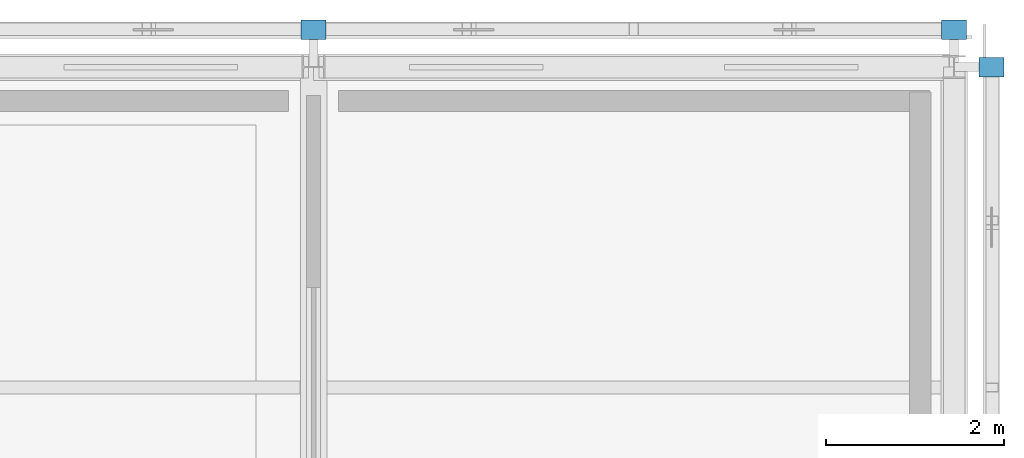
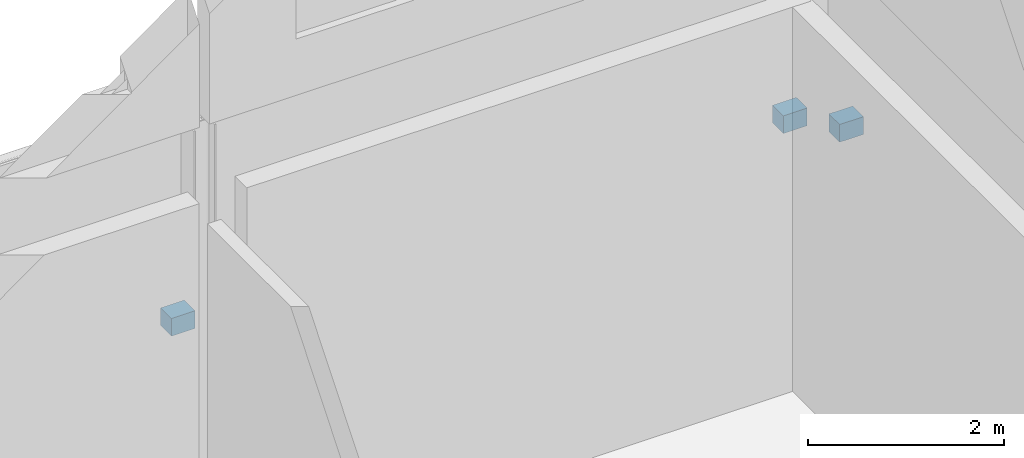
# One storey, part 30 of 31: 3 discrete accessories.
"""IFC4 building model written with IfcOpenShell, lengths in metres."""

from ifc_helpers import new_model, si_unit, direction, frame, origin, origin_2d, place, context, subcontext, project, spatial, rectangle, extrude, material, type_object, element, save


model = new_model("IFC4")

# Units and contexts
model_context = context("Model", 3, precision=1e-05, world=origin(), true_north=direction((0.0, 1.0)))
body_context = subcontext(model_context, "Body", "Model", "MODEL_VIEW")
ifc_project = project(units=[si_unit("LENGTHUNIT", "METRE"), si_unit("AREAUNIT", "SQUARE_METRE"), si_unit("VOLUMEUNIT", "CUBIC_METRE"), si_unit("PLANEANGLEUNIT", "RADIAN"), si_unit("MASSUNIT", "GRAM", prefix="KILO")], contexts=[model_context])

# Site, building, storey
site_placement = place(None, origin())
site = spatial("IfcSite", under=ifc_project, at=site_placement, CompositionType="ELEMENT")
building_placement = place(site_placement, origin())
building = spatial("IfcBuilding", under=site, at=building_placement, Name="Zlatovets Crest Museum", CompositionType="ELEMENT")
storey_placement = place(building_placement, frame((0.0, 0.0, 25.199951171875)))
storey = spatial("IfcBuildingStorey", under=building, at=storey_placement, Name="L05", CompositionType="ELEMENT", Elevation=25.199951171875)

# Discrete accessories
ifc_material = material(Name="Structural steel S355J2", Category="steel")
discrete_accessory_type = type_object("IfcDiscreteAccessoryType", Name="LatticeBracket_BK01", PredefinedType="BRACKET", material=ifc_material)
for number, where, z_axis, x_axis, name in (
    (1, (108.419921875, 115.199951171875, 2.58984375), (0.0, 0.0, 1.0), (1.0, 0.0, 0.0), "Bronze Lattice Structural Collector Bracket"),
    (2, (108.0, 115.6201171875, 2.58984375), (0.0, 0.0, 1.0), (1.0, 0.0, 0.0), "Bronze Lattice Structural Collector Bracket"),
    (3, (100.800048828125, 115.6201171875, 2.58984375), (0.0, 0.0, 1.0), (1.0, 0.0, 0.0), "Bronze Lattice Structural Collector Bracket"),
):
    element("IfcDiscreteAccessory", number, at=place(storey_placement, frame(where, z_axis=z_axis, x_axis=x_axis)), inside=storey, type_object=discrete_accessory_type, Name=name, PredefinedType="BRACKET", context=body_context, shape_type="SweptSolid", body=[
        extrude(rectangle(XDim=0.280029296875, YDim=0.219970703125, at=origin_2d()), origin(), (0.0, 0.0, 1.0), 0.219970703125),
    ])

save(model, "model.ifc")
